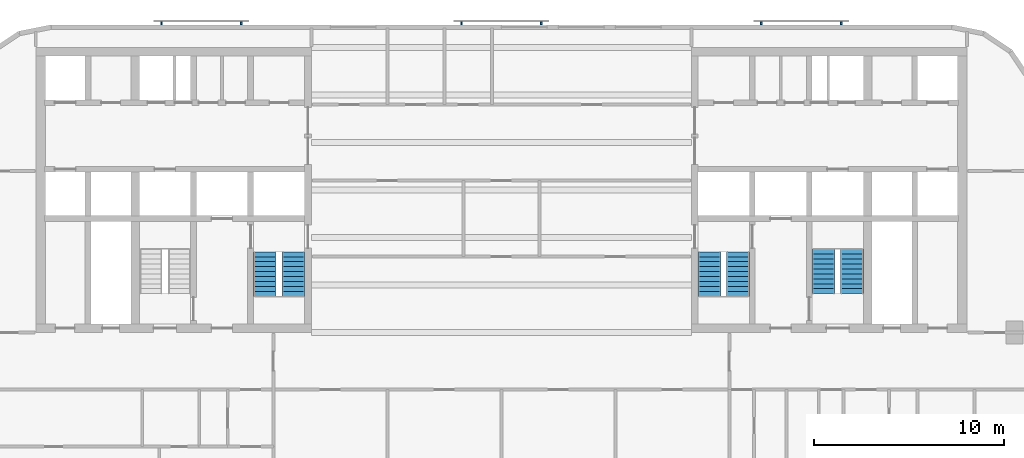
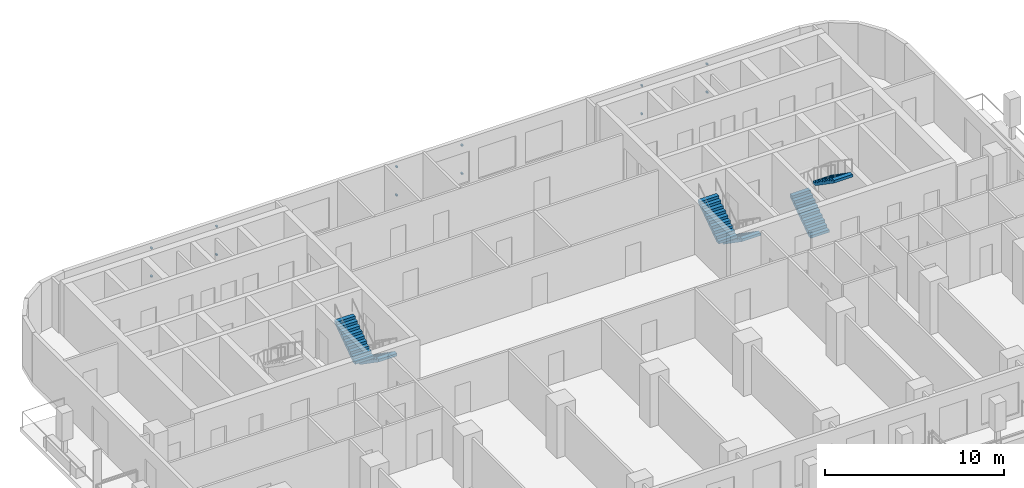
# One storey, part 8 of 11: 12 discrete accessories, 6 stair flights, 3 elements without a shape of their own.
"""IFC4 building model written with IfcOpenShell, lengths in metres."""

from ifc_helpers import new_model, si_unit, direction, frame, origin, origin_2d, place, context, subcontext, project, spatial, polyline, rectangle, outline, extrude, material, type_object, element, aggregate, save


model = new_model("IFC4")

# Units and contexts
model_context = context("Model", 3, precision=1e-05, world=origin(), true_north=direction((0.0, 1.0)))
body_context = subcontext(model_context, "Body", "Model", "MODEL_VIEW")
ifc_project = project(units=[si_unit("LENGTHUNIT", "METRE"), si_unit("AREAUNIT", "SQUARE_METRE"), si_unit("VOLUMEUNIT", "CUBIC_METRE"), si_unit("PLANEANGLEUNIT", "RADIAN"), si_unit("MASSUNIT", "GRAM", prefix="KILO")], contexts=[model_context])

# Site, building, storey
site_placement = place(None, origin())
site = spatial("IfcSite", under=ifc_project, at=site_placement, CompositionType="ELEMENT")
building_placement = place(site_placement, origin())
building = spatial("IfcBuilding", under=site, at=building_placement, Name="Torana Hotel and Residences", CompositionType="ELEMENT")
storey_placement = place(building_placement, frame((0.0, 0.0, 163.199951171875)))
storey = spatial("IfcBuildingStorey", under=building, at=storey_placement, Name="L42", CompositionType="ELEMENT", Elevation=163.199951171875)

# Stair, stair flights
ifc_material_1 = material(Name="Concrete C40/50 precast", Category="concrete")
stair_type_1 = type_object("IfcStairType", Name="STAIR ST1 HALF TURN 1200", PredefinedType="HALF_TURN_STAIR", material=ifc_material_1)
stair_1_placement = place(storey_placement, origin())
stair_1 = element("IfcStair", 1, at=stair_1_placement, inside=storey, type_object=stair_type_1, Name="Stair ST1 L42", PredefinedType="HALF_TURN_STAIR")
ifc_material_2 = material(Name="Concrete C40/50 precast", Category="concrete")
stair_flight_type = type_object("IfcStairFlightType", Name="STAIR FLIGHT 1200 PRECAST", PredefinedType="STRAIGHT", material=ifc_material_2)
stair_flight_1_placement = place(storey_placement, frame((-10.949951171875, -10.75, 0.0), z_axis=(0.0, 0.0, 1.0), x_axis=(0.0, -1.0, 0.0)))
stair_flight_1 = element("IfcStairFlight", 2, at=stair_flight_1_placement, type_object=stair_flight_type, Name="ST1 flight 1", NumberOfRisers=10, NumberOfTreads=9, PredefinedType="STRAIGHT", RiserHeight=0.18, TreadLength=0.26, context=body_context, shape_type="SweptSolid", body=[
    extrude(outline(polyline([(0.0, 0.0), (0.0, 0.179931640625), (0.260009765625, 0.179931640625), (0.260009765625, 0.360107421875), (0.52001953125, 0.360107421875), (0.52001953125, 0.5400390625), (0.780029296875, 0.5400390625), (0.780029296875, 0.719970703125), (1.0400390625, 0.719970703125), (1.0400390625, 0.89990234375), (1.300048828125, 0.89990234375), (1.300048828125, 1.080078125), (1.56005859375, 1.080078125), (1.56005859375, 1.260009765625), (1.820068359375, 1.260009765625), (1.820068359375, 1.43994140625), (2.080078125, 1.43994140625), (2.080078125, 1.6201171875), (2.340087890625, 1.6201171875), (2.340087890625, 1.800048828125), (2.340087890625, 1.437744140625), (0.263427734375, 0.0), (0.0, 0.0)])), frame((0.0, 0.60009765625, 0.0), z_axis=(0.0, -1.0, 0.0), x_axis=(1.0, 0.0, 0.0)), (0.0, 0.0, 1.0), 1.199951171875),
])
stair_flight_2_placement = place(storey_placement, frame((-12.449951171875, -13.090087890625, 1.800048828125), z_axis=(0.0, 0.0, 1.0), x_axis=(0.0, 1.0, 0.0)))
stair_flight_2 = element("IfcStairFlight", 3, at=stair_flight_2_placement, type_object=stair_flight_type, Name="ST1 flight 2", NumberOfRisers=10, NumberOfTreads=9, PredefinedType="STRAIGHT", RiserHeight=0.18, TreadLength=0.26, context=body_context, shape_type="SweptSolid", body=[
    extrude(outline(polyline([(0.0, 0.0), (0.0, 0.179931640625), (0.260009765625, 0.179931640625), (0.260009765625, 0.360107421875), (0.52001953125, 0.360107421875), (0.52001953125, 0.5400390625), (0.780029296875, 0.5400390625), (0.780029296875, 0.719970703125), (1.0400390625, 0.719970703125), (1.0400390625, 0.89990234375), (1.300048828125, 0.89990234375), (1.300048828125, 1.080078125), (1.56005859375, 1.080078125), (1.56005859375, 1.260009765625), (1.820068359375, 1.260009765625), (1.820068359375, 1.43994140625), (2.080078125, 1.43994140625), (2.080078125, 1.6201171875), (2.340087890625, 1.6201171875), (2.340087890625, 1.800048828125), (2.340087890625, 1.437744140625), (0.263427734375, 0.0), (0.0, 0.0)])), frame((0.0, 0.60009765625, 0.0), z_axis=(0.0, -1.0, 0.0), x_axis=(1.0, 0.0, 0.0)), (0.0, 0.0, 1.0), 1.199951171875),
])
aggregate(stair_1, [stair_flight_1, stair_flight_2])

ifc_material_3 = material(Name="Concrete C40/50 precast", Category="concrete")
stair_type_2 = type_object("IfcStairType", Name="STAIR ST3 HALF TURN 1200", PredefinedType="HALF_TURN_STAIR", material=ifc_material_3)
stair_2_placement = place(storey_placement, origin())
stair_2 = element("IfcStair", 4, at=stair_2_placement, inside=storey, type_object=stair_type_2, Name="Stair ST3 L42", PredefinedType="HALF_TURN_STAIR")
stair_flight_3_placement = place(storey_placement, frame((12.449951171875, -10.75, 0.0), z_axis=(0.0, 0.0, 1.0), x_axis=(0.0, -1.0, 0.0)))
stair_flight_3 = element("IfcStairFlight", 5, at=stair_flight_3_placement, type_object=stair_flight_type, Name="ST3 flight 1", NumberOfRisers=10, NumberOfTreads=9, PredefinedType="STRAIGHT", RiserHeight=0.18, TreadLength=0.26, context=body_context, shape_type="SweptSolid", body=[
    extrude(outline(polyline([(0.0, 0.0), (0.0, 0.179931640625), (0.260009765625, 0.179931640625), (0.260009765625, 0.360107421875), (0.52001953125, 0.360107421875), (0.52001953125, 0.5400390625), (0.780029296875, 0.5400390625), (0.780029296875, 0.719970703125), (1.0400390625, 0.719970703125), (1.0400390625, 0.89990234375), (1.300048828125, 0.89990234375), (1.300048828125, 1.080078125), (1.56005859375, 1.080078125), (1.56005859375, 1.260009765625), (1.820068359375, 1.260009765625), (1.820068359375, 1.43994140625), (2.080078125, 1.43994140625), (2.080078125, 1.6201171875), (2.340087890625, 1.6201171875), (2.340087890625, 1.800048828125), (2.340087890625, 1.437744140625), (0.263427734375, 0.0), (0.0, 0.0)])), frame((0.0, 0.60009765625, 0.0), z_axis=(0.0, -1.0, 0.0), x_axis=(1.0, 0.0, 0.0)), (0.0, 0.0, 1.0), 1.199951171875),
])
stair_flight_4_placement = place(storey_placement, frame((10.949951171875, -13.090087890625, 1.800048828125), z_axis=(0.0, 0.0, 1.0), x_axis=(0.0, 1.0, 0.0)))
stair_flight_4 = element("IfcStairFlight", 6, at=stair_flight_4_placement, type_object=stair_flight_type, Name="ST3 flight 2", NumberOfRisers=10, NumberOfTreads=9, PredefinedType="STRAIGHT", RiserHeight=0.18, TreadLength=0.26, context=body_context, shape_type="SweptSolid", body=[
    extrude(outline(polyline([(0.0, 0.0), (0.0, 0.179931640625), (0.260009765625, 0.179931640625), (0.260009765625, 0.360107421875), (0.52001953125, 0.360107421875), (0.52001953125, 0.5400390625), (0.780029296875, 0.5400390625), (0.780029296875, 0.719970703125), (1.0400390625, 0.719970703125), (1.0400390625, 0.89990234375), (1.300048828125, 0.89990234375), (1.300048828125, 1.080078125), (1.56005859375, 1.080078125), (1.56005859375, 1.260009765625), (1.820068359375, 1.260009765625), (1.820068359375, 1.43994140625), (2.080078125, 1.43994140625), (2.080078125, 1.6201171875), (2.340087890625, 1.6201171875), (2.340087890625, 1.800048828125), (2.340087890625, 1.437744140625), (0.263427734375, 0.0), (0.0, 0.0)])), frame((0.0, 0.60009765625, 0.0), z_axis=(0.0, -1.0, 0.0), x_axis=(1.0, 0.0, 0.0)), (0.0, 0.0, 1.0), 1.199951171875),
])
aggregate(stair_2, [stair_flight_3, stair_flight_4])

ifc_material_4 = material(Name="Concrete C40/50 precast", Category="concrete")
stair_type_3 = type_object("IfcStairType", Name="STAIR ST4 HALF TURN 1200", PredefinedType="HALF_TURN_STAIR", material=ifc_material_4)
stair_3_placement = place(storey_placement, origin())
stair_3 = element("IfcStair", 7, at=stair_3_placement, inside=storey, type_object=stair_type_3, Name="Stair ST4 L42", PredefinedType="HALF_TURN_STAIR")
stair_flight_5_placement = place(storey_placement, frame((16.949951171875, -12.949951171875, 0.0), z_axis=(0.0, 0.0, 1.0), x_axis=(0.0, 1.0, 0.0)))
stair_flight_5 = element("IfcStairFlight", 8, at=stair_flight_5_placement, type_object=stair_flight_type, Name="ST4 flight 1", NumberOfRisers=10, NumberOfTreads=9, PredefinedType="STRAIGHT", RiserHeight=0.18, TreadLength=0.26, context=body_context, shape_type="SweptSolid", body=[
    extrude(outline(polyline([(0.0, 0.0), (0.0, 0.179931640625), (0.260009765625, 0.179931640625), (0.260009765625, 0.360107421875), (0.52001953125, 0.360107421875), (0.52001953125, 0.5400390625), (0.780029296875, 0.5400390625), (0.780029296875, 0.719970703125), (1.0400390625, 0.719970703125), (1.0400390625, 0.89990234375), (1.300048828125, 0.89990234375), (1.300048828125, 1.080078125), (1.56005859375, 1.080078125), (1.56005859375, 1.260009765625), (1.820068359375, 1.260009765625), (1.820068359375, 1.43994140625), (2.080078125, 1.43994140625), (2.080078125, 1.6201171875), (2.340087890625, 1.6201171875), (2.340087890625, 1.800048828125), (2.340087890625, 1.437744140625), (0.263427734375, 0.0), (0.0, 0.0)])), frame((0.0, 0.60009765625, 0.0), z_axis=(0.0, -1.0, 0.0), x_axis=(1.0, 0.0, 0.0)), (0.0, 0.0, 1.0), 1.199951171875),
])
stair_flight_6_placement = place(storey_placement, frame((18.449951171875, -10.610107421875, 1.800048828125), z_axis=(0.0, 0.0, 1.0), x_axis=(0.0, -1.0, 0.0)))
stair_flight_6 = element("IfcStairFlight", 9, at=stair_flight_6_placement, type_object=stair_flight_type, Name="ST4 flight 2", NumberOfRisers=10, NumberOfTreads=9, PredefinedType="STRAIGHT", RiserHeight=0.18, TreadLength=0.26, context=body_context, shape_type="SweptSolid", body=[
    extrude(outline(polyline([(0.0, 0.0), (0.0, 0.179931640625), (0.260009765625, 0.179931640625), (0.260009765625, 0.360107421875), (0.52001953125, 0.360107421875), (0.52001953125, 0.5400390625), (0.780029296875, 0.5400390625), (0.780029296875, 0.719970703125), (1.0400390625, 0.719970703125), (1.0400390625, 0.89990234375), (1.300048828125, 0.89990234375), (1.300048828125, 1.080078125), (1.56005859375, 1.080078125), (1.56005859375, 1.260009765625), (1.820068359375, 1.260009765625), (1.820068359375, 1.43994140625), (2.080078125, 1.43994140625), (2.080078125, 1.6201171875), (2.340087890625, 1.6201171875), (2.340087890625, 1.800048828125), (2.340087890625, 1.437744140625), (0.263427734375, 0.0), (0.0, 0.0)])), frame((0.0, 0.60009765625, 0.0), z_axis=(0.0, -1.0, 0.0), x_axis=(1.0, 0.0, 0.0)), (0.0, 0.0, 1.0), 1.199951171875),
])
aggregate(stair_3, [stair_flight_5, stair_flight_6])

# Discrete accessories
ifc_material_5 = material(Name="Steel S355", Category="steel")
discrete_accessory_type = type_object("IfcDiscreteAccessoryType", Name="SCREEN BRACKET 100", PredefinedType="BRACKET", material=ifc_material_5)
for number, where, z_axis, x_axis, name in (
    (10, (17.883544921875, 1.27490234375, 0.75), (0.0, 0.0, 1.0), (-1.0, 0.0, 0.0), "Screen bracket L42"),
    (11, (17.883544921875, 1.27490234375, 2.669921875), (0.0, 0.0, 1.0), (-1.0, 0.0, 0.0), "Screen bracket L42"),
    (12, (13.68359375, 1.27490234375, 0.75), (0.0, 0.0, 1.0), (-1.0, 0.0, 0.0), "Screen bracket L42"),
    (13, (13.68359375, 1.27490234375, 2.669921875), (0.0, 0.0, 1.0), (-1.0, 0.0, 0.0), "Screen bracket L42"),
    (14, (2.10009765625, 1.27490234375, 0.75), (0.0, 0.0, 1.0), (-1.0, 0.0, 0.0), "Screen bracket L42"),
    (15, (2.10009765625, 1.27490234375, 2.669921875), (0.0, 0.0, 1.0), (-1.0, 0.0, 0.0), "Screen bracket L42"),
    (16, (-2.10009765625, 1.27490234375, 0.75), (0.0, 0.0, 1.0), (-1.0, 0.0, 0.0), "Screen bracket L42"),
    (17, (-2.10009765625, 1.27490234375, 2.669921875), (0.0, 0.0, 1.0), (-1.0, 0.0, 0.0), "Screen bracket L42"),
    (18, (-13.68359375, 1.27490234375, 0.75), (0.0, 0.0, 1.0), (-1.0, 0.0, 0.0), "Screen bracket L42"),
    (19, (-13.68359375, 1.27490234375, 2.669921875), (0.0, 0.0, 1.0), (-1.0, 0.0, 0.0), "Screen bracket L42"),
    (20, (-17.883544921875, 1.27490234375, 0.75), (0.0, 0.0, 1.0), (-1.0, 0.0, 0.0), "Screen bracket L42"),
    (21, (-17.883544921875, 1.27490234375, 2.669921875), (0.0, 0.0, 1.0), (-1.0, 0.0, 0.0), "Screen bracket L42"),
):
    element("IfcDiscreteAccessory", number, at=place(storey_placement, frame(where, z_axis=z_axis, x_axis=x_axis)), inside=storey, type_object=discrete_accessory_type, Name=name, PredefinedType="BRACKET", context=body_context, shape_type="SweptSolid", body=[
        extrude(rectangle(XDim=0.10009765625, YDim=0.14990234375, at=origin_2d()), origin(), (0.0, 0.0, 1.0), 0.10009765625),
    ])

save(model, "model.ifc")
